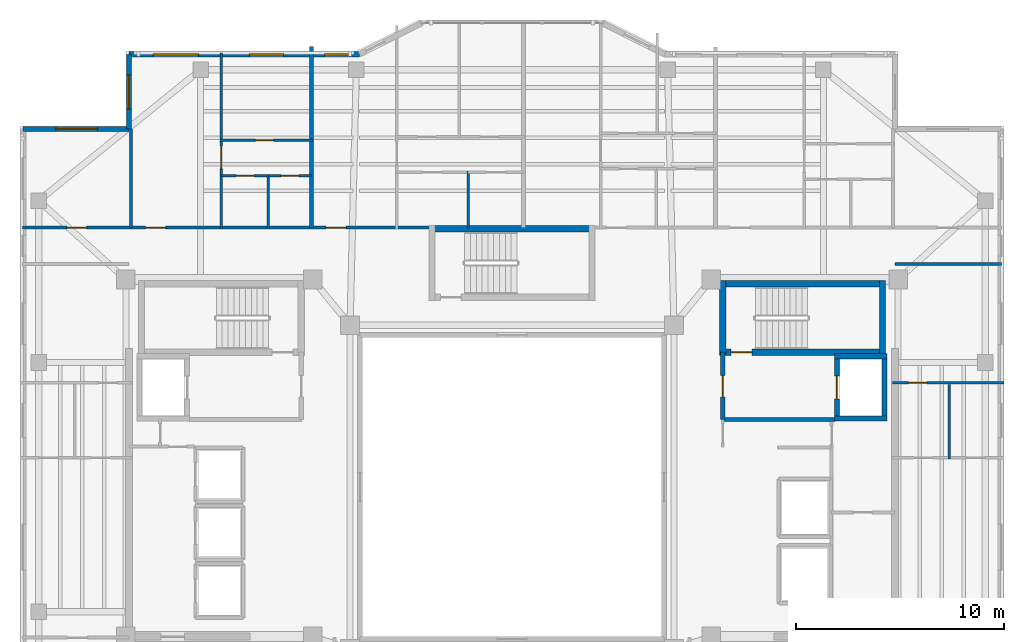
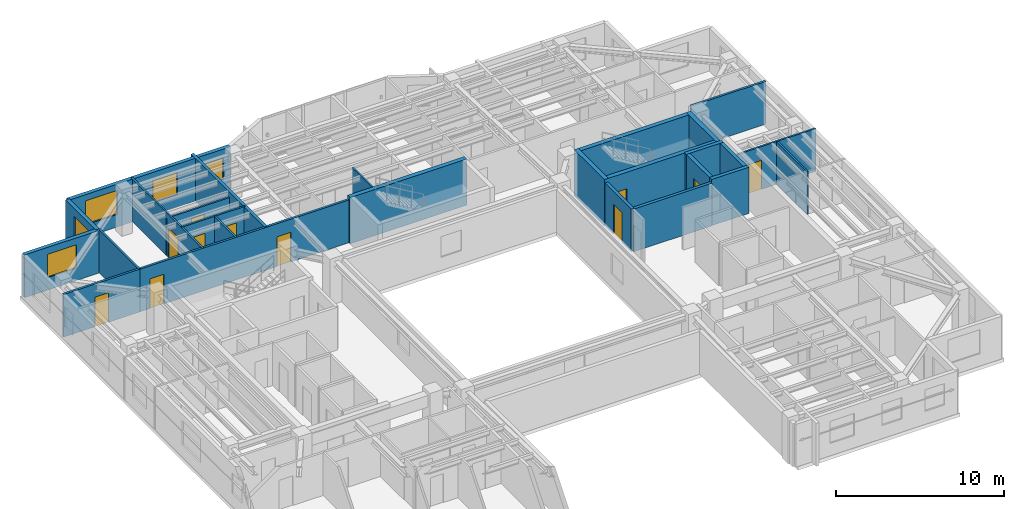
# One storey, part 7 of 12: 27 walls, 11 doors, 5 windows, 16 openings.
"""IFC4 building model written with IfcOpenShell, lengths in metres."""

from ifc_helpers import new_model, si_unit, direction, frame, frame_2d, origin, place, context, subcontext, project, spatial, rectangle, extrude, material, layer, layer_set, type_object, element, fill, save


model = new_model("IFC4")

# Units and contexts
model_context = context("Model", 3, precision=1e-05, world=origin(), true_north=direction((0.0, 1.0)))
body_context = subcontext(model_context, "Body", "Model", "MODEL_VIEW")
ifc_project = project(units=[si_unit("LENGTHUNIT", "METRE"), si_unit("AREAUNIT", "SQUARE_METRE"), si_unit("VOLUMEUNIT", "CUBIC_METRE"), si_unit("PLANEANGLEUNIT", "RADIAN"), si_unit("MASSUNIT", "GRAM", prefix="KILO")], contexts=[model_context])

# Site, building, storey
site_placement = place(None, origin())
site = spatial("IfcSite", under=ifc_project, at=site_placement, CompositionType="ELEMENT")
building_placement = place(site_placement, origin())
building = spatial("IfcBuilding", under=site, at=building_placement, Name="Tarnavaz Court Tower", CompositionType="ELEMENT")
storey_placement = place(building_placement, frame((0.0, 0.0, 220.39990234375)))
storey = spatial("IfcBuildingStorey", under=building, at=storey_placement, Name="L60", CompositionType="ELEMENT", Elevation=220.39990234375)

# Wall, opening, door
ifc_material_1 = material(Name="Concrete C50/60", Category="concrete")
ifc_layer_1 = layer(ifc_material_1, 0.25)
ifc_layer_set_1 = layer_set([ifc_layer_1], Name="Concrete C50/60")
wall_type_1 = type_object("IfcWallType", Name="WL-CORE-250-C50", PredefinedType="SHEAR", material=ifc_layer_set_1)
wall_1_placement = place(storey_placement, frame((15.64990234375, 3.175048828125, 0.0), z_axis=(0.0, 0.0, 1.0), x_axis=(0.0, 1.0, 0.0)))
wall_1 = element("IfcWall", 1, at=wall_1_placement, inside=storey, type_object=wall_type_1, Name="L60 Lift FL-E1 Shaft Wall 033", PredefinedType="SHEAR", context=body_context, shape_type="SweptSolid", body=[
    extrude(rectangle(XDim=3.25, YDim=0.25, at=frame_2d((1.625, 0.0))), origin(), (0.0, 0.0, 1.0), 3.35009765625),
])
opening_1_placement = place(wall_1_placement, frame((1.074951171875, 0.0, 0.0)))
opening_1 = element("IfcOpeningElement", 2, at=opening_1_placement, cuts=wall_1, Name="Opening LD1", PredefinedType="OPENING", context=body_context, shape_type="SweptSolid", body=[
    extrude(rectangle(XDim=1.10009765625, YDim=2.14990234375, at=frame_2d((0.550048828125, 1.074951171875))), frame((0.0, 0.135009765625, 0.0), z_axis=(0.0, -1.0, 0.0), x_axis=(1.0, 0.0, 0.0)), (0.0, 0.0, 1.0), 0.27001953125),
])
ifc_material_2 = material(Name="Stainless Steel", Category="steel")
door_type_1 = type_object("IfcDoorType", Name="DR-LD-1100", OperationType="NOTDEFINED", PredefinedType="DOOR", material=ifc_material_2)
door_1_placement = place(opening_1_placement, origin())
door_1 = element("IfcDoor", 3, at=door_1_placement, inside=storey, type_object=door_type_1, Name="L60 Lift Landing Door LD-FL-E1", OperationType="SLIDING_TO_LEFT", OverallHeight=2.14990234375, OverallWidth=1.10009765625, PredefinedType="DOOR", context=body_context, shape_type="SweptSolid", body=[
    extrude(rectangle(XDim=1.10009765625, YDim=2.14990234375, at=frame_2d((0.550048828125, 1.074951171875))), frame((0.0, 0.02490234375, 0.0), z_axis=(0.0, -1.0, 0.0), x_axis=(1.0, 0.0, 0.0)), (0.0, 0.0, 1.0), 0.050048828125),
])
fill(opening_1, door_1)

# Walls
wall_2_placement = place(storey_placement, frame((17.949951171875, 3.175048828125, 0.0), z_axis=(0.0, 0.0, 1.0), x_axis=(0.0, 1.0, 0.0)))
element("IfcWall", 4, at=wall_2_placement, inside=storey, type_object=wall_type_1, Name="L60 Lift FL-E1 Shaft Wall 034", PredefinedType="SHEAR", context=body_context, shape_type="SweptSolid", body=[
    extrude(rectangle(XDim=3.25, YDim=0.25, at=frame_2d((1.625, 0.0))), origin(), (0.0, 0.0, 1.0), 3.35009765625),
])
for number, where, z_axis, x_axis, name in (
    (5, (15.52490234375, 3.300048828125, 0.0), (0.0, 0.0, 1.0), (1.0, 0.0, 0.0), "L60 Lift FL-E1 Shaft Wall 035"),
    (6, (15.52490234375, 6.300048828125, 0.0), (0.0, 0.0, 1.0), (1.0, 0.0, 0.0), "L60 Lift FL-E1 Shaft Wall 036"),
):
    element("IfcWall", number, at=place(storey_placement, frame(where, z_axis=z_axis, x_axis=x_axis)), inside=storey, type_object=wall_type_1, Name=name, PredefinedType="SHEAR", context=body_context, shape_type="SweptSolid", body=[
        extrude(rectangle(XDim=2.550048828125, YDim=0.25, at=frame_2d((1.27490234375, 0.0))), origin(), (0.0, 0.0, 1.0), 3.35009765625),
    ])
ifc_layer_2 = layer(ifc_material_1, 0.300048828125)
ifc_layer_set_2 = layer_set([ifc_layer_2], Name="Concrete C50/60")
wall_type_2 = type_object("IfcWallType", Name="WL-CORE-300-C50", PredefinedType="SHEAR", material=ifc_layer_set_2)
wall_3_placement = place(storey_placement, frame((10.0, 9.7900390625, 0.0), z_axis=(0.0, 0.0, 1.0), x_axis=(1.0, 0.0, 0.0)))
element("IfcWall", 7, at=wall_3_placement, inside=storey, type_object=wall_type_2, Name="L60 East Stair Core Wall 005", PredefinedType="SHEAR", context=body_context, shape_type="SweptSolid", body=[
    extrude(rectangle(XDim=8.0, YDim=0.300048828125, at=frame_2d((4.0, 0.0))), origin(), (0.0, 0.0, 1.0), 3.35009765625),
])

# Wall, opening, door
wall_4_placement = place(storey_placement, frame((10.0, 6.5, 0.0), z_axis=(0.0, 0.0, 1.0), x_axis=(1.0, 0.0, 0.0)))
wall_4 = element("IfcWall", 8, at=wall_4_placement, inside=storey, type_object=wall_type_2, Name="L60 East Stair Core Wall 006", PredefinedType="SHEAR", context=body_context, shape_type="SweptSolid", body=[
    extrude(rectangle(XDim=8.0, YDim=0.300048828125, at=frame_2d((4.0, 0.0))), origin(), (0.0, 0.0, 1.0), 3.35009765625),
])
opening_2_placement = place(wall_4_placement, frame((0.550048828125, 0.0, 0.0)))
opening_2 = element("IfcOpeningElement", 9, at=opening_2_placement, cuts=wall_4, Name="Opening D01", PredefinedType="OPENING", context=body_context, shape_type="SweptSolid", body=[
    extrude(rectangle(XDim=1.0, YDim=2.14990234375, at=frame_2d((0.5, 1.074951171875))), frame((0.0, 0.159912109375, 0.0), z_axis=(0.0, -1.0, 0.0), x_axis=(1.0, 0.0, 0.0)), (0.0, 0.0, 1.0), 0.320068359375),
])
ifc_material_3 = material(Name="Fire-Rated Hardwood Timber Core", Category="wood")
door_type_2 = type_object("IfcDoorType", Name="DR-FD90-1000", OperationType="NOTDEFINED", PredefinedType="DOOR", material=ifc_material_3)
door_2_placement = place(opening_2_placement, origin())
door_2 = element("IfcDoor", 10, at=door_2_placement, inside=storey, type_object=door_type_2, Name="L60 Stair ST-E1 Exit Door", OperationType="SINGLE_SWING_RIGHT", OverallHeight=2.14990234375, OverallWidth=1.0, PredefinedType="DOOR", context=body_context, shape_type="SweptSolid", body=[
    extrude(rectangle(XDim=1.0, YDim=2.14990234375, at=frame_2d((0.5, 1.074951171875))), frame((0.0, 0.02490234375, 0.0), z_axis=(0.0, -1.0, 0.0), x_axis=(1.0, 0.0, 0.0)), (0.0, 0.0, 1.0), 0.050048828125),
])
fill(opening_2, door_2)

# Walls
for number, where, z_axis, x_axis, name in (
    (11, (10.14990234375, 6.35009765625, 0.0), (0.0, 0.0, 1.0), (0.0, 1.0, 0.0), "L60 East Stair Core Wall 007"),
    (12, (17.85009765625, 6.35009765625, 0.0), (0.0, 0.0, 1.0), (0.0, 1.0, 0.0), "L60 East Stair Core Wall 008"),
):
    element("IfcWall", number, at=place(storey_placement, frame(where, z_axis=z_axis, x_axis=x_axis)), inside=storey, type_object=wall_type_2, Name=name, PredefinedType="SHEAR", context=body_context, shape_type="SweptSolid", body=[
        extrude(rectangle(XDim=3.58984375, YDim=0.300048828125, at=frame_2d((1.794921875, 0.0))), origin(), (0.0, 0.0, 1.0), 3.35009765625),
    ])
wall_5_placement = place(storey_placement, frame((-4.0, 12.43994140625, 0.0), z_axis=(0.0, 0.0, 1.0), x_axis=(1.0, 0.0, 0.0)))
element("IfcWall", 13, at=wall_5_placement, inside=storey, type_object=wall_type_2, Name="L60 North Stair Core Wall 009", PredefinedType="SHEAR", context=body_context, shape_type="SweptSolid", body=[
    extrude(rectangle(XDim=8.0, YDim=0.300048828125, at=frame_2d((4.0, 0.0))), origin(), (0.0, 0.0, 1.0), 3.35009765625),
])

# Wall, opening, window
ifc_material_4 = material(Name="Precast Concrete C40/50", Category="concrete")
ifc_layer_3 = layer(ifc_material_4, 0.260009765625)
ifc_layer_set_3 = layer_set([ifc_layer_3], Name="Precast Concrete C40/50")
wall_type_3 = type_object("IfcWallType", Name="WL-EXT-260", PredefinedType="SOLIDWALL", material=ifc_layer_set_3)
wall_6_placement = place(storey_placement, frame((-23.550048828125, 17.25, 0.0), z_axis=(0.0, 0.0, 1.0), x_axis=(1.0, 0.0, 0.0)))
wall_6 = element("IfcWall", 14, at=wall_6_placement, inside=storey, type_object=wall_type_3, Name="L60 Exterior Terracotta Facade Wall 03", PredefinedType="SOLIDWALL", context=body_context, shape_type="SweptSolid", body=[
    extrude(rectangle(XDim=5.10009765625, YDim=0.260009765625, at=frame_2d((2.550048828125, 0.0))), origin(), (0.0, 0.0, 1.0), 3.10009765625),
])
opening_3_placement = place(wall_6_placement, frame((1.574951171875, 0.0, 0.89990234375)))
opening_3 = element("IfcOpeningElement", 15, at=opening_3_placement, cuts=wall_6, Name="Opening W08", PredefinedType="OPENING", context=body_context, shape_type="SweptSolid", body=[
    extrude(rectangle(XDim=2.0, YDim=1.699951171875, at=frame_2d((1.0, 0.85009765625))), frame((0.0, 0.139892578125, 0.0), z_axis=(0.0, -1.0, 0.0), x_axis=(1.0, 0.0, 0.0)), (0.0, 0.0, 1.0), 0.280029296875),
])
ifc_material_5 = material(Name="Double-Glazed Solar Low-E Glass", Category="glass")
window_type_1 = type_object("IfcWindowType", Name="WN-APT-2000", PartitioningType="DOUBLE_PANEL_VERTICAL", PredefinedType="WINDOW", material=ifc_material_5)
window_1_placement = place(opening_3_placement, origin())
window_1 = element("IfcWindow", 16, at=window_1_placement, inside=storey, type_object=window_type_1, Name="L60 North-West Corner Sunroom Study Window", OverallHeight=1.699951171875, OverallWidth=2.0, PartitioningType="SINGLE_PANEL", PredefinedType="WINDOW", context=body_context, shape_type="SweptSolid", body=[
    extrude(rectangle(XDim=2.0, YDim=1.699951171875, at=frame_2d((1.0, 0.85009765625))), frame((0.0, 0.030029296875, 0.0), z_axis=(0.0, -1.0, 0.0), x_axis=(1.0, 0.0, 0.0)), (0.0, 0.0, 1.0), 0.06005859375),
])
fill(opening_3, window_1)

wall_7_placement = place(storey_placement, frame((-18.449951171875, 17.25, 0.0), z_axis=(0.0, 0.0, 1.0), x_axis=(0.0, 1.0, 0.0)))
wall_7 = element("IfcWall", 17, at=wall_7_placement, inside=storey, type_object=wall_type_3, Name="L60 Exterior Terracotta Facade Wall 04", PredefinedType="SOLIDWALL", context=body_context, shape_type="SweptSolid", body=[
    extrude(rectangle(XDim=3.60009765625, YDim=0.260009765625, at=frame_2d((1.800048828125, 0.0))), origin(), (0.0, 0.0, 1.0), 3.10009765625),
])
opening_4_placement = place(wall_7_placement, frame((0.95751953125, 0.0, 0.89990234375)))
opening_4 = element("IfcOpeningElement", 18, at=opening_4_placement, cuts=wall_7, Name="Opening W02", PredefinedType="OPENING", context=body_context, shape_type="SweptSolid", body=[
    extrude(rectangle(XDim=1.64990234375, YDim=1.60009765625, at=frame_2d((0.824951171875, 0.800048828125))), frame((0.0, 0.139892578125, 0.0), z_axis=(0.0, -1.0, 0.0), x_axis=(1.0, 0.0, 0.0)), (0.0, 0.0, 1.0), 0.280029296875),
])
window_type_2 = type_object("IfcWindowType", Name="WN-APT-1650", PartitioningType="DOUBLE_PANEL_VERTICAL", PredefinedType="WINDOW", material=ifc_material_5)
window_2_placement = place(opening_4_placement, origin())
window_2 = element("IfcWindow", 19, at=window_2_placement, inside=storey, type_object=window_type_2, Name="L60 Flat 01 Living and Dining Room Window", OverallHeight=1.60009765625, OverallWidth=1.64990234375, PartitioningType="SINGLE_PANEL", PredefinedType="WINDOW", context=body_context, shape_type="SweptSolid", body=[
    extrude(rectangle(XDim=1.64990234375, YDim=1.60009765625, at=frame_2d((0.824951171875, 0.800048828125))), frame((0.0, 0.030029296875, 0.0), z_axis=(0.0, -1.0, 0.0), x_axis=(1.0, 0.0, 0.0)), (0.0, 0.0, 1.0), 0.06005859375),
])
fill(opening_4, window_2)

# Wall, openings, windows
wall_8_placement = place(storey_placement, frame((-18.449951171875, 20.85009765625, 0.0), z_axis=(0.0, 0.0, 1.0), x_axis=(1.0, 0.0, 0.0)))
wall_8 = element("IfcWall", 20, at=wall_8_placement, inside=storey, type_object=wall_type_3, Name="L60 Exterior Terracotta Facade Wall 05", PredefinedType="SOLIDWALL", context=body_context, shape_type="SweptSolid", body=[
    extrude(rectangle(XDim=11.099853515625, YDim=0.260009765625, at=frame_2d((5.5498046875, 0.0))), origin(), (0.0, 0.0, 1.0), 3.10009765625),
])
opening_5_placement = place(wall_8_placement, frame((1.16015625, 0.0, 0.89990234375)))
opening_5 = element("IfcOpeningElement", 21, at=opening_5_placement, cuts=wall_8, Name="Opening W07", PredefinedType="OPENING", context=body_context, shape_type="SweptSolid", body=[
    extrude(rectangle(XDim=2.199951171875, YDim=1.75, at=frame_2d((1.10009765625, 0.875))), frame((0.0, 0.139892578125, 0.0), z_axis=(0.0, -1.0, 0.0), x_axis=(1.0, 0.0, 0.0)), (0.0, 0.0, 1.0), 0.280029296875),
])
opening_6_placement = place(wall_8_placement, frame((5.804931640625, 0.0, 0.89990234375)))
opening_6 = element("IfcOpeningElement", 22, at=opening_6_placement, cuts=wall_8, Name="Opening W02", PredefinedType="OPENING", context=body_context, shape_type="SweptSolid", body=[
    extrude(rectangle(XDim=1.64990234375, YDim=1.60009765625, at=frame_2d((0.824951171875, 0.800048828125))), frame((0.0, 0.139892578125, 0.0), z_axis=(0.0, -1.0, 0.0), x_axis=(1.0, 0.0, 0.0)), (0.0, 0.0, 1.0), 0.280029296875),
])
opening_7_placement = place(wall_8_placement, frame((9.420166015625, 0.0, 0.949951171875)))
opening_7 = element("IfcOpeningElement", 23, at=opening_7_placement, cuts=wall_8, Name="Opening W05", PredefinedType="OPENING", context=body_context, shape_type="SweptSolid", body=[
    extrude(rectangle(XDim=1.199951171875, YDim=1.5, at=frame_2d((0.60009765625, 0.75))), frame((0.0, 0.139892578125, 0.0), z_axis=(0.0, -1.0, 0.0), x_axis=(1.0, 0.0, 0.0)), (0.0, 0.0, 1.0), 0.280029296875),
])
window_type_3 = type_object("IfcWindowType", Name="WN-APT-1200", PartitioningType="SINGLE_PANEL", PredefinedType="WINDOW", material=ifc_material_5)
window_3_placement = place(opening_7_placement, origin())
window_3 = element("IfcWindow", 24, at=window_3_placement, inside=storey, type_object=window_type_3, Name="L60 Flat 02 Living and Dining Room Window", OverallHeight=1.5, OverallWidth=1.199951171875, PartitioningType="SINGLE_PANEL", PredefinedType="WINDOW", context=body_context, shape_type="SweptSolid", body=[
    extrude(rectangle(XDim=1.199951171875, YDim=1.5, at=frame_2d((0.60009765625, 0.75))), frame((0.0, 0.030029296875, 0.0), z_axis=(0.0, -1.0, 0.0), x_axis=(1.0, 0.0, 0.0)), (0.0, 0.0, 1.0), 0.06005859375),
])
fill(opening_7, window_3)
window_4_placement = place(opening_6_placement, origin())
window_4 = element("IfcWindow", 25, at=window_4_placement, inside=storey, type_object=window_type_2, Name="L60 Flat 01 Bedroom 1 Window", OverallHeight=1.60009765625, OverallWidth=1.64990234375, PartitioningType="SINGLE_PANEL", PredefinedType="WINDOW", context=body_context, shape_type="SweptSolid", body=[
    extrude(rectangle(XDim=1.64990234375, YDim=1.60009765625, at=frame_2d((0.824951171875, 0.800048828125))), frame((0.0, 0.030029296875, 0.0), z_axis=(0.0, -1.0, 0.0), x_axis=(1.0, 0.0, 0.0)), (0.0, 0.0, 1.0), 0.06005859375),
])
fill(opening_6, window_4)
window_type_4 = type_object("IfcWindowType", Name="WN-APT-2200", PartitioningType="TRIPLE_PANEL_VERTICAL", PredefinedType="WINDOW", material=ifc_material_5)
window_5_placement = place(opening_5_placement, origin())
window_5 = element("IfcWindow", 26, at=window_5_placement, inside=storey, type_object=window_type_4, Name="L60 Flat 01 Living and Dining Room Window", OverallHeight=1.75, OverallWidth=2.199951171875, PartitioningType="SINGLE_PANEL", PredefinedType="WINDOW", context=body_context, shape_type="SweptSolid", body=[
    extrude(rectangle(XDim=2.199951171875, YDim=1.75, at=frame_2d((1.10009765625, 0.875))), frame((0.0, 0.030029296875, 0.0), z_axis=(0.0, -1.0, 0.0), x_axis=(1.0, 0.0, 0.0)), (0.0, 0.0, 1.0), 0.06005859375),
])
fill(opening_5, window_5)

# Wall, openings, doors
ifc_material_6 = material(Name="Gypsum Fire-Board on Acoustic Metal Stud", Category="masonry")
ifc_layer_4 = layer(ifc_material_6, 0.14990234375)
ifc_layer_set_4 = layer_set([ifc_layer_4], Name="Gypsum Fire-Board on Acoustic Metal Stud")
wall_type_4 = type_object("IfcWallType", Name="WL-FIRE-150", PredefinedType="PARTITIONING", material=ifc_layer_set_4)
wall_9_placement = place(storey_placement, frame((-18.35009765625, 12.5, 0.0), z_axis=(0.0, 0.0, 1.0), x_axis=(1.0, 0.0, 0.0)))
wall_9 = element("IfcWall", 27, at=wall_9_placement, inside=storey, type_object=wall_type_4, Name="L60 NW Wing Corridor Wall 055", PredefinedType="PARTITIONING", context=body_context, shape_type="SweptSolid", body=[
    extrude(rectangle(XDim=14.5, YDim=0.14990234375, at=frame_2d((7.25, 0.0))), origin(), (0.0, 0.0, 1.0), 3.10009765625),
])
opening_8_placement = place(wall_9_placement, frame((0.699951171875, 0.0, 0.0)))
opening_8 = element("IfcOpeningElement", 28, at=opening_8_placement, cuts=wall_9, Name="Opening D06", PredefinedType="OPENING", context=body_context, shape_type="SweptSolid", body=[
    extrude(rectangle(XDim=0.9599609375, YDim=2.14990234375, at=frame_2d((0.47998046875, 1.074951171875))), frame((0.0, 0.0849609375, 0.0), z_axis=(0.0, -1.0, 0.0), x_axis=(1.0, 0.0, 0.0)), (0.0, 0.0, 1.0), 0.169921875),
])
opening_9_placement = place(wall_9_placement, frame((9.39404296875, 0.0, 0.0)))
opening_9 = element("IfcOpeningElement", 29, at=opening_9_placement, cuts=wall_9, Name="Opening D06", PredefinedType="OPENING", context=body_context, shape_type="SweptSolid", body=[
    extrude(rectangle(XDim=0.9599609375, YDim=2.14990234375, at=frame_2d((0.47998046875, 1.074951171875))), frame((0.0, 0.0849609375, 0.0), z_axis=(0.0, -1.0, 0.0), x_axis=(1.0, 0.0, 0.0)), (0.0, 0.0, 1.0), 0.169921875),
])
door_type_3 = type_object("IfcDoorType", Name="DR-FD60-950", OperationType="NOTDEFINED", PredefinedType="DOOR", material=ifc_material_3)
door_3_placement = place(opening_8_placement, origin())
door_3 = element("IfcDoor", 30, at=door_3_placement, inside=storey, type_object=door_type_3, Name="L60 Flat 01 Entrance Door", OperationType="SINGLE_SWING_LEFT", OverallHeight=2.14990234375, OverallWidth=0.9599609375, PredefinedType="DOOR", context=body_context, shape_type="SweptSolid", body=[
    extrude(rectangle(XDim=0.9599609375, YDim=2.14990234375, at=frame_2d((0.47998046875, 1.074951171875))), frame((0.0, 0.02490234375, 0.0), z_axis=(0.0, -1.0, 0.0), x_axis=(1.0, 0.0, 0.0)), (0.0, 0.0, 1.0), 0.050048828125),
])
fill(opening_8, door_3)
door_4_placement = place(opening_9_placement, origin())
door_4 = element("IfcDoor", 31, at=door_4_placement, inside=storey, type_object=door_type_3, Name="L60 Flat 02 Entrance Door", OperationType="SINGLE_SWING_RIGHT", OverallHeight=2.14990234375, OverallWidth=0.9599609375, PredefinedType="DOOR", context=body_context, shape_type="SweptSolid", body=[
    extrude(rectangle(XDim=0.9599609375, YDim=2.14990234375, at=frame_2d((0.47998046875, 1.074951171875))), frame((0.0, 0.02490234375, 0.0), z_axis=(0.0, -1.0, 0.0), x_axis=(1.0, 0.0, 0.0)), (0.0, 0.0, 1.0), 0.050048828125),
])
fill(opening_9, door_4)

# Wall
wall_10_placement = place(storey_placement, frame((18.449951171875, 10.75, 0.0), z_axis=(0.0, 0.0, 1.0), x_axis=(1.0, 0.0, 0.0)))
element("IfcWall", 32, at=wall_10_placement, inside=storey, type_object=wall_type_4, Name="L60 Interior Partition 103", PredefinedType="PARTITIONING", context=body_context, shape_type="SweptSolid", body=[
    extrude(rectangle(XDim=5.130126953125, YDim=0.14990234375, at=frame_2d((2.56494140625, 0.0))), origin(), (0.0, 0.0, 1.0), 3.10009765625),
])

# Wall, opening, door
wall_11_placement = place(storey_placement, frame((-23.580078125, 12.5, 0.0), z_axis=(0.0, 0.0, 1.0), x_axis=(1.0, 0.0, 0.0)))
wall_11 = element("IfcWall", 33, at=wall_11_placement, inside=storey, type_object=wall_type_4, Name="L60 Interior Partition 108", PredefinedType="PARTITIONING", context=body_context, shape_type="SweptSolid", body=[
    extrude(rectangle(XDim=5.22998046875, YDim=0.14990234375, at=frame_2d((2.614990234375, 0.0))), origin(), (0.0, 0.0, 1.0), 3.10009765625),
])
opening_10_placement = place(wall_11_placement, frame((2.139892578125, 0.0, 0.0)))
opening_10 = element("IfcOpeningElement", 34, at=opening_10_placement, cuts=wall_11, Name="Opening D13", PredefinedType="OPENING", context=body_context, shape_type="SweptSolid", body=[
    extrude(rectangle(XDim=0.949951171875, YDim=2.14990234375, at=frame_2d((0.47509765625, 1.074951171875))), frame((0.0, 0.0849609375, 0.0), z_axis=(0.0, -1.0, 0.0), x_axis=(1.0, 0.0, 0.0)), (0.0, 0.0, 1.0), 0.169921875),
])
ifc_material_7 = material(Name="Engineered Oak Timber", Category="wood")
door_type_4 = type_object("IfcDoorType", Name="DR-INT-950", OperationType="NOTDEFINED", PredefinedType="DOOR", material=ifc_material_7)
door_5_placement = place(opening_10_placement, origin())
door_5 = element("IfcDoor", 35, at=door_5_placement, inside=storey, type_object=door_type_4, Name="L60 NW Sunroom Door", OperationType="SINGLE_SWING_LEFT", OverallHeight=2.14990234375, OverallWidth=0.949951171875, PredefinedType="DOOR", context=body_context, shape_type="SweptSolid", body=[
    extrude(rectangle(XDim=0.949951171875, YDim=2.14990234375, at=frame_2d((0.47509765625, 1.074951171875))), frame((0.0, 0.02490234375, 0.0), z_axis=(0.0, -1.0, 0.0), x_axis=(1.0, 0.0, 0.0)), (0.0, 0.0, 1.0), 0.050048828125),
])
fill(opening_10, door_5)

# Wall
ifc_material_8 = material(Name="Autoclaved Aerated Concrete Blockwork", Category="masonry")
ifc_layer_5 = layer(ifc_material_8, 0.199951171875)
ifc_layer_set_5 = layer_set([ifc_layer_5], Name="Autoclaved Aerated Concrete Blockwork")
wall_type_5 = type_object("IfcWallType", Name="WL-FIRE-200", PredefinedType="SOLIDWALL", material=ifc_layer_set_5)
wall_12_placement = place(storey_placement, frame((10.14990234375, 3.25, 0.0), z_axis=(0.0, 0.0, 1.0), x_axis=(1.0, 0.0, 0.0)))
element("IfcWall", 36, at=wall_12_placement, inside=storey, type_object=wall_type_5, Name="L60 East Firefighting Lobby Wall 015", PredefinedType="SOLIDWALL", context=body_context, shape_type="SweptSolid", body=[
    extrude(rectangle(XDim=5.400146484375, YDim=0.199951171875, at=frame_2d((2.7001953125, 0.0))), origin(), (0.0, 0.0, 1.0), 3.10009765625),
])

# Wall, opening, door
wall_13_placement = place(storey_placement, frame((10.14990234375, 3.25, 0.0), z_axis=(0.0, 0.0, 1.0), x_axis=(0.0, 1.0, 0.0)))
wall_13 = element("IfcWall", 37, at=wall_13_placement, inside=storey, type_object=wall_type_5, Name="L60 East Firefighting Lobby Wall 016", PredefinedType="SOLIDWALL", context=body_context, shape_type="SweptSolid", body=[
    extrude(rectangle(XDim=3.25, YDim=0.199951171875, at=frame_2d((1.625, 0.0))), origin(), (0.0, 0.0, 1.0), 3.10009765625),
])
opening_11_placement = place(wall_13_placement, frame((1.10009765625, 0.0, 0.0)))
opening_11 = element("IfcOpeningElement", 38, at=opening_11_placement, cuts=wall_13, Name="Opening D05", PredefinedType="OPENING", context=body_context, shape_type="SweptSolid", body=[
    extrude(rectangle(XDim=1.02001953125, YDim=2.14990234375, at=frame_2d((0.510009765625, 1.074951171875))), frame((0.0, 0.10986328125, 0.0), z_axis=(0.0, -1.0, 0.0), x_axis=(1.0, 0.0, 0.0)), (0.0, 0.0, 1.0), 0.219970703125),
])
door_type_5 = type_object("IfcDoorType", Name="DR-FD60-1000", OperationType="NOTDEFINED", PredefinedType="DOOR", material=ifc_material_3)
door_6_placement = place(opening_11_placement, origin())
door_6 = element("IfcDoor", 39, at=door_6_placement, inside=storey, type_object=door_type_5, Name="L60 East Firefighting Lobby Door", OperationType="SINGLE_SWING_LEFT", OverallHeight=2.14990234375, OverallWidth=1.02001953125, PredefinedType="DOOR", context=body_context, shape_type="SweptSolid", body=[
    extrude(rectangle(XDim=1.02001953125, YDim=2.14990234375, at=frame_2d((0.510009765625, 1.074951171875))), frame((0.0, 0.02490234375, 0.0), z_axis=(0.0, -1.0, 0.0), x_axis=(1.0, 0.0, 0.0)), (0.0, 0.0, 1.0), 0.050048828125),
])
fill(opening_11, door_6)

# Wall
wall_14_placement = place(storey_placement, frame((-9.656005859375, 12.5, 0.0), z_axis=(0.0, 0.0, 1.0), x_axis=(0.0, 1.0, 0.0)))
element("IfcWall", 40, at=wall_14_placement, inside=storey, type_object=wall_type_5, Name="L60 Party Wall 062", PredefinedType="SOLIDWALL", context=body_context, shape_type="SweptSolid", body=[
    extrude(rectangle(XDim=8.73193359375, YDim=0.199951171875, at=frame_2d((4.365966796875, 0.0))), origin(), (0.0, 0.0, 1.0), 3.10009765625),
])

# Wall, opening, door
ifc_material_9 = material(Name="Moisture-Resistant Gypsum Board Partition", Category="masonry")
ifc_layer_6 = layer(ifc_material_9, 0.1201171875)
ifc_layer_set_6 = layer_set([ifc_layer_6], Name="Moisture-Resistant Gypsum Board Partition")
wall_type_6 = type_object("IfcWallType", Name="WL-PART-120", PredefinedType="PARTITIONING", material=ifc_layer_set_6)
wall_15_placement = place(storey_placement, frame((-14.0029296875, 12.43994140625, 0.0), z_axis=(0.0, 0.0, 1.0), x_axis=(0.0, 1.0, 0.0)))
wall_15 = element("IfcWall", 41, at=wall_15_placement, inside=storey, type_object=wall_type_6, Name="L60 Interior Partition 063", PredefinedType="PARTITIONING", context=body_context, shape_type="SweptSolid", body=[
    extrude(rectangle(XDim=8.4599609375, YDim=0.1201171875, at=frame_2d((4.22998046875, 0.0))), origin(), (0.0, 0.0, 1.0), 3.10009765625),
])
opening_12_placement = place(wall_15_placement, frame((2.905029296875, 0.0, 0.0)))
opening_12 = element("IfcOpeningElement", 42, at=opening_12_placement, cuts=wall_15, Name="Opening D12", PredefinedType="OPENING", context=body_context, shape_type="SweptSolid", body=[
    extrude(rectangle(XDim=1.080078125, YDim=2.14990234375, at=frame_2d((0.5400390625, 1.074951171875))), frame((0.0, 0.070068359375, 0.0), z_axis=(0.0, -1.0, 0.0), x_axis=(1.0, 0.0, 0.0)), (0.0, 0.0, 1.0), 0.14013671875),
])
door_type_6 = type_object("IfcDoorType", Name="DR-INT-1100", OperationType="NOTDEFINED", PredefinedType="DOOR", material=ifc_material_7)
door_7_placement = place(opening_12_placement, origin())
door_7 = element("IfcDoor", 43, at=door_7_placement, inside=storey, type_object=door_type_6, Name="L60 Flat 01 Foyer Door", OperationType="SINGLE_SWING_RIGHT", OverallHeight=2.14990234375, OverallWidth=1.080078125, PredefinedType="DOOR", context=body_context, shape_type="SweptSolid", body=[
    extrude(rectangle(XDim=1.080078125, YDim=2.14990234375, at=frame_2d((0.5400390625, 1.074951171875))), frame((0.0, 0.02490234375, 0.0), z_axis=(0.0, -1.0, 0.0), x_axis=(1.0, 0.0, 0.0)), (0.0, 0.0, 1.0), 0.050048828125),
])
fill(opening_12, door_7)

wall_16_placement = place(storey_placement, frame((-14.0029296875, 15.0, 0.0), z_axis=(0.0, 0.0, 1.0), x_axis=(1.0, 0.0, 0.0)))
wall_16 = element("IfcWall", 44, at=wall_16_placement, inside=storey, type_object=wall_type_6, Name="L60 Interior Partition 064", PredefinedType="PARTITIONING", context=body_context, shape_type="SweptSolid", body=[
    extrude(rectangle(XDim=2.27197265625, YDim=0.1201171875, at=frame_2d((1.135986328125, 0.0))), origin(), (0.0, 0.0, 1.0), 3.10009765625),
])
opening_13_placement = place(wall_16_placement, frame((0.696044921875, 0.0, 0.0)))
opening_13 = element("IfcOpeningElement", 45, at=opening_13_placement, cuts=wall_16, Name="Opening D14", PredefinedType="OPENING", context=body_context, shape_type="SweptSolid", body=[
    extrude(rectangle(XDim=0.8798828125, YDim=2.10009765625, at=frame_2d((0.43994140625, 1.050048828125))), frame((0.0, 0.070068359375, 0.0), z_axis=(0.0, -1.0, 0.0), x_axis=(1.0, 0.0, 0.0)), (0.0, 0.0, 1.0), 0.14013671875),
])
door_type_7 = type_object("IfcDoorType", Name="DR-INT-900", OperationType="NOTDEFINED", PredefinedType="DOOR", material=ifc_material_7)
door_8_placement = place(opening_13_placement, origin())
door_8 = element("IfcDoor", 46, at=door_8_placement, inside=storey, type_object=door_type_7, Name="L60 Flat 01 Kitchen Door", OperationType="SINGLE_SWING_LEFT", OverallHeight=2.10009765625, OverallWidth=0.8798828125, PredefinedType="DOOR", context=body_context, shape_type="SweptSolid", body=[
    extrude(rectangle(XDim=0.8798828125, YDim=2.10009765625, at=frame_2d((0.43994140625, 1.050048828125))), frame((0.0, 0.02490234375, 0.0), z_axis=(0.0, -1.0, 0.0), x_axis=(1.0, 0.0, 0.0)), (0.0, 0.0, 1.0), 0.050048828125),
])
fill(opening_13, door_8)

wall_17_placement = place(storey_placement, frame((-11.73095703125, 15.0, 0.0), z_axis=(0.0, 0.0, 1.0), x_axis=(1.0, 0.0, 0.0)))
wall_17 = element("IfcWall", 47, at=wall_17_placement, inside=storey, type_object=wall_type_6, Name="L60 Interior Partition 065", PredefinedType="PARTITIONING", context=body_context, shape_type="SweptSolid", body=[
    extrude(rectangle(XDim=2.074951171875, YDim=0.1201171875, at=frame_2d((1.03759765625, 0.0))), origin(), (0.0, 0.0, 1.0), 3.10009765625),
])
opening_14_placement = place(wall_17_placement, frame((0.596923828125, 0.0, 0.0)))
opening_14 = element("IfcOpeningElement", 48, at=opening_14_placement, cuts=wall_17, Name="Opening D14", PredefinedType="OPENING", context=body_context, shape_type="SweptSolid", body=[
    extrude(rectangle(XDim=0.8798828125, YDim=2.10009765625, at=frame_2d((0.43994140625, 1.050048828125))), frame((0.0, 0.070068359375, 0.0), z_axis=(0.0, -1.0, 0.0), x_axis=(1.0, 0.0, 0.0)), (0.0, 0.0, 1.0), 0.14013671875),
])
door_9_placement = place(opening_14_placement, origin())
door_9 = element("IfcDoor", 49, at=door_9_placement, inside=storey, type_object=door_type_7, Name="L60 Flat 01 Bathroom Door", OperationType="SINGLE_SWING_RIGHT", OverallHeight=2.10009765625, OverallWidth=0.8798828125, PredefinedType="DOOR", context=body_context, shape_type="SweptSolid", body=[
    extrude(rectangle(XDim=0.8798828125, YDim=2.10009765625, at=frame_2d((0.43994140625, 1.050048828125))), frame((0.0, 0.02490234375, 0.0), z_axis=(0.0, -1.0, 0.0), x_axis=(1.0, 0.0, 0.0)), (0.0, 0.0, 1.0), 0.050048828125),
])
fill(opening_14, door_9)

wall_18_placement = place(storey_placement, frame((-14.06298828125, 16.7099609375, 0.0), z_axis=(0.0, 0.0, 1.0), x_axis=(1.0, 0.0, 0.0)))
wall_18 = element("IfcWall", 50, at=wall_18_placement, inside=storey, type_object=wall_type_6, Name="L60 Interior Partition 066", PredefinedType="PARTITIONING", context=body_context, shape_type="SweptSolid", body=[
    extrude(rectangle(XDim=4.467041015625, YDim=0.1201171875, at=frame_2d((2.2333984375, 0.0))), origin(), (0.0, 0.0, 1.0), 2.72509765625),
])
opening_15_placement = place(wall_18_placement, frame((1.702880859375, 0.0, 0.0)))
opening_15 = element("IfcOpeningElement", 51, at=opening_15_placement, cuts=wall_18, Name="Opening D14", PredefinedType="OPENING", context=body_context, shape_type="SweptSolid", body=[
    extrude(rectangle(XDim=0.8798828125, YDim=2.10009765625, at=frame_2d((0.43994140625, 1.050048828125))), frame((0.0, 0.070068359375, 0.0), z_axis=(0.0, -1.0, 0.0), x_axis=(1.0, 0.0, 0.0)), (0.0, 0.0, 1.0), 0.14013671875),
])
door_10_placement = place(opening_15_placement, origin())
door_10 = element("IfcDoor", 52, at=door_10_placement, inside=storey, type_object=door_type_7, Name="L60 Flat 01 Bedroom 1 Door", OperationType="SINGLE_SWING_LEFT", OverallHeight=2.10009765625, OverallWidth=0.8798828125, PredefinedType="DOOR", context=body_context, shape_type="SweptSolid", body=[
    extrude(rectangle(XDim=0.8798828125, YDim=2.10009765625, at=frame_2d((0.43994140625, 1.050048828125))), frame((0.0, 0.02490234375, 0.0), z_axis=(0.0, -1.0, 0.0), x_axis=(1.0, 0.0, 0.0)), (0.0, 0.0, 1.0), 0.050048828125),
])
fill(opening_15, door_10)

# Walls
wall_19_placement = place(storey_placement, frame((-11.73095703125, 12.43994140625, 0.0), z_axis=(0.0, 0.0, 1.0), x_axis=(0.0, 1.0, 0.0)))
element("IfcWall", 53, at=wall_19_placement, inside=storey, type_object=wall_type_6, Name="L60 Interior Partition 067", PredefinedType="PARTITIONING", context=body_context, shape_type="SweptSolid", body=[
    extrude(rectangle(XDim=2.6201171875, YDim=0.1201171875, at=frame_2d((1.31005859375, 0.0))), origin(), (0.0, 0.0, 1.0), 3.10009765625),
])
wall_20_placement = place(storey_placement, frame((-2.112060546875, 12.43994140625, 0.0), z_axis=(0.0, 0.0, 1.0), x_axis=(0.0, 1.0, 0.0)))
element("IfcWall", 54, at=wall_20_placement, inside=storey, type_object=wall_type_6, Name="L60 Interior Partition 072", PredefinedType="PARTITIONING", context=body_context, shape_type="SweptSolid", body=[
    extrude(rectangle(XDim=2.7900390625, YDim=0.1201171875, at=frame_2d((1.39501953125, 0.0))), origin(), (0.0, 0.0, 1.0), 3.10009765625),
])

# Wall, opening, door
wall_21_placement = place(storey_placement, frame((18.330078125, 5.02001953125, 0.0), z_axis=(0.0, 0.0, 1.0), x_axis=(1.0, 0.0, 0.0)))
wall_21 = element("IfcWall", 55, at=wall_21_placement, inside=storey, type_object=wall_type_6, Name="L60 Interior Partition 116", PredefinedType="PARTITIONING", context=body_context, shape_type="SweptSolid", body=[
    extrude(rectangle(XDim=5.369873046875, YDim=0.1201171875, at=frame_2d((2.68505859375, 0.0))), origin(), (0.0, 0.0, 1.0), 3.10009765625),
])
opening_16_placement = place(wall_21_placement, frame((0.77001953125, 0.0, 0.0)))
opening_16 = element("IfcOpeningElement", 56, at=opening_16_placement, cuts=wall_21, Name="Opening D14", PredefinedType="OPENING", context=body_context, shape_type="SweptSolid", body=[
    extrude(rectangle(XDim=0.8798828125, YDim=2.10009765625, at=frame_2d((0.43994140625, 1.050048828125))), frame((0.0, 0.070068359375, 0.0), z_axis=(0.0, -1.0, 0.0), x_axis=(1.0, 0.0, 0.0)), (0.0, 0.0, 1.0), 0.14013671875),
])
door_11_placement = place(opening_16_placement, origin())
door_11 = element("IfcDoor", 57, at=door_11_placement, inside=storey, type_object=door_type_7, Name="L60 Flat 08 Study Door", OperationType="SINGLE_SWING_RIGHT", OverallHeight=2.10009765625, OverallWidth=0.8798828125, PredefinedType="DOOR", context=body_context, shape_type="SweptSolid", body=[
    extrude(rectangle(XDim=0.8798828125, YDim=2.10009765625, at=frame_2d((0.43994140625, 1.050048828125))), frame((0.0, 0.02490234375, 0.0), z_axis=(0.0, -1.0, 0.0), x_axis=(1.0, 0.0, 0.0)), (0.0, 0.0, 1.0), 0.050048828125),
])
fill(opening_16, door_11)

# Walls
wall_22_placement = place(storey_placement, frame((21.06494140625, 1.360107421875, 0.0), z_axis=(0.0, 0.0, 1.0), x_axis=(0.0, 1.0, 0.0)))
element("IfcWall", 58, at=wall_22_placement, inside=storey, type_object=wall_type_6, Name="L60 Interior Partition 117", PredefinedType="PARTITIONING", context=body_context, shape_type="SweptSolid", body=[
    extrude(rectangle(XDim=3.579833984375, YDim=0.1201171875, at=frame_2d((1.7900390625, 0.0))), origin(), (0.0, 0.0, 1.0), 3.10009765625),
])
ifc_material_10 = material(Name="Gypsum Plasterboard Acoustic Partition", Category="masonry")
ifc_layer_7 = layer(ifc_material_10, 0.139892578125)
ifc_layer_set_7 = layer_set([ifc_layer_7], Name="Gypsum Plasterboard Acoustic Partition")
wall_type_7 = type_object("IfcWallType", Name="WL-PART-150", PredefinedType="PARTITIONING", material=ifc_layer_set_7)
wall_23_placement = place(storey_placement, frame((-18.35009765625, 12.5, 0.0), z_axis=(0.0, 0.0, 1.0), x_axis=(0.0, 1.0, 0.0)))
element("IfcWall", 59, at=wall_23_placement, inside=storey, type_object=wall_type_7, Name="L60 Interior Partition 106", PredefinedType="PARTITIONING", context=body_context, shape_type="SweptSolid", body=[
    extrude(rectangle(XDim=4.75, YDim=0.139892578125, at=frame_2d((2.375, 0.0))), origin(), (0.0, 0.0, 1.0), 3.10009765625),
])

save(model, "model.ifc")
